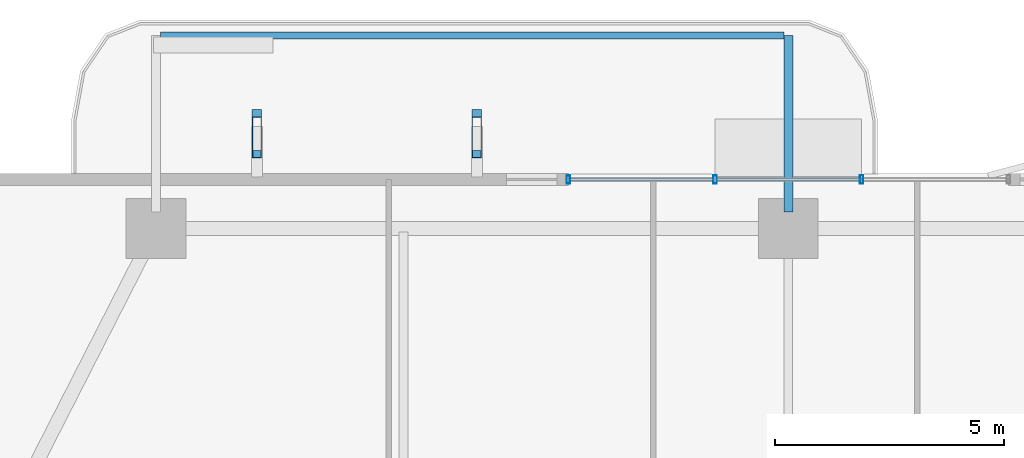
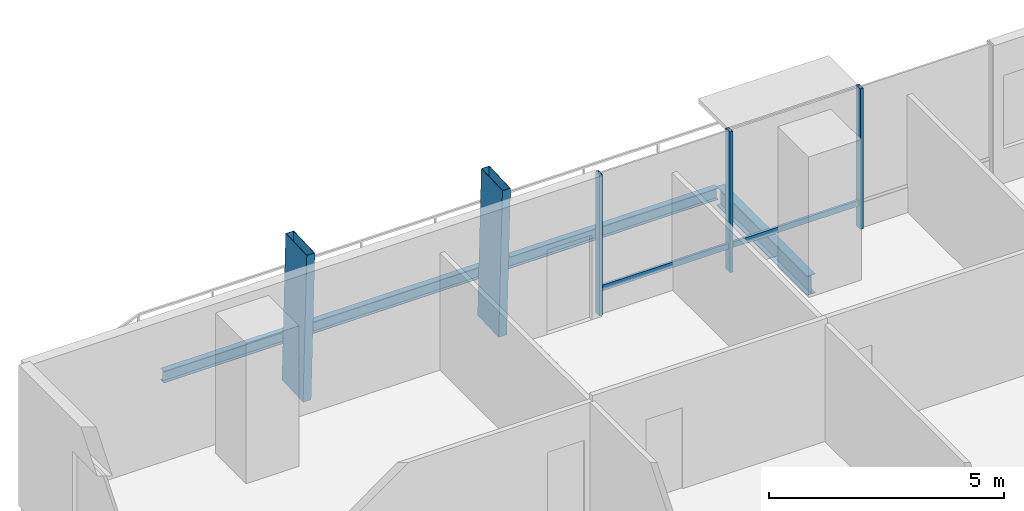
# One storey, part 11 of 24: 7 members, 2 beams, 1 element without a shape of its own.
"""IFC4 building model written with IfcOpenShell, lengths in metres."""

from ifc_helpers import new_model, si_unit, direction, frame, origin, origin_2d, place, context, subcontext, project, spatial, hollow_rectangle, i_section, extrude, material, layer, layer_set, material_profile, profile_set, type_object, element, aggregate, save


model = new_model("IFC4")

# Units and contexts
model_context = context("Model", 3, precision=1e-05, world=origin(), true_north=direction((0.0, 1.0)))
body_context = subcontext(model_context, "Body", "Model", "MODEL_VIEW")
ifc_project = project(units=[si_unit("LENGTHUNIT", "METRE"), si_unit("AREAUNIT", "SQUARE_METRE"), si_unit("VOLUMEUNIT", "CUBIC_METRE"), si_unit("PLANEANGLEUNIT", "RADIAN"), si_unit("MASSUNIT", "GRAM", prefix="KILO")], contexts=[model_context])

# Site, building, storey
site_placement = place(None, origin())
site = spatial("IfcSite", under=ifc_project, at=site_placement, CompositionType="ELEMENT")
building_placement = place(site_placement, origin())
building = spatial("IfcBuilding", under=site, at=building_placement, Name="Belovzor Exchange Tower", CompositionType="ELEMENT")
storey_placement = place(building_placement, frame((0.0, 0.0, 117.300048828125)))
storey = spatial("IfcBuildingStorey", under=building, at=storey_placement, Name="L28", CompositionType="ELEMENT", Elevation=117.300048828125)

# Beams
ifc_material_1 = material(Name="Steel S355", Category="steel")
ifc_material_profile_1 = material_profile(ifc_material_1, i_section(OverallWidth=0.199951171875, OverallDepth=0.5, WebThickness=0.01025390625, FlangeThickness=0.01611328125, at=origin_2d()))
ifc_profile_set_1 = profile_set([ifc_material_profile_1], Name="Steel S355")
beam_type_1 = type_object("IfcBeamType", Name="Planted Balcony Cantilever Beam IPE 500", PredefinedType="BEAM", material=ifc_profile_set_1)
beam_1_placement = place(storey_placement, frame((28.800048828125, 54.05810546875, -0.5), z_axis=(0.0, 1.0, 0.0), x_axis=(-1.0, 0.0, 0.0)))
element("IfcBeam", 1, at=beam_1_placement, inside=storey, type_object=beam_type_1, Name="BC-500 Planted Balcony Cantilever Beam IPE 500", PredefinedType="BEAM", context=body_context, shape_type="SweptSolid", body=[
    extrude(i_section(OverallWidth=0.199951171875, OverallDepth=0.5, WebThickness=0.01025390625, FlangeThickness=0.01611328125, at=origin_2d()), origin(), (0.0, 0.0, 1.0), 3.849853515625),
])
ifc_material_2 = material(Name="Steel S355", Category="steel")
ifc_material_profile_2 = material_profile(ifc_material_2, i_section(OverallWidth=0.14990234375, OverallDepth=0.300048828125, WebThickness=0.007080078125, FlangeThickness=0.0107421875, at=origin_2d()))
ifc_profile_set_2 = profile_set([ifc_material_profile_2], Name="Steel S355")
beam_type_2 = type_object("IfcBeamType", Name="Planted Balcony Fascia Edge Beam IPE 300", PredefinedType="BEAM", material=ifc_profile_set_2)
beam_2_placement = place(storey_placement, frame((28.699951171875, 57.907958984375, -0.400146484375), z_axis=(-1.0, 0.0, 0.0), x_axis=(0.0, -1.0, 0.0)))
element("IfcBeam", 2, at=beam_2_placement, inside=storey, type_object=beam_type_2, Name="BC-300 Planted Balcony Fascia Edge Beam IPE 300", PredefinedType="BEAM", context=body_context, shape_type="SweptSolid", body=[
    extrude(i_section(OverallWidth=0.14990234375, OverallDepth=0.300048828125, WebThickness=0.007080078125, FlangeThickness=0.0107421875, at=origin_2d()), origin(), (0.0, 0.0, 1.0), 13.599853515625),
])

# Members
ifc_material_3 = material(Name="Extruded Architectural Terracotta on Steel S355 Carrier", Category="masonry")
ifc_material_profile_3 = material_profile(ifc_material_3, hollow_rectangle(XDim=0.199951171875, YDim=0.89990234375, WallThickness=0.011962890625, at=origin_2d()))
ifc_profile_set_3 = profile_set([ifc_material_profile_3], Name="Extruded Architectural Terracotta on Steel S355 Carrier")
member_type_1 = type_object("IfcMemberType", Name="Sweeping Terracotta Baguette Fin Assembly 1250", PredefinedType="USERDEFINED", material=ifc_profile_set_3)
for number, where, z_axis, x_axis, name in (
    (3, (17.199951171875, 55.842041015625, -0.25), (0.0, -0.040719923662, 0.999170599956), (1.0, 0.0, 0.0), "FIN-TC125 Terracotta Facade Fin L28 N1"),
    (4, (22.0, 55.842041015625, -0.25), (0.0, -0.040719923662, 0.999170599956), (1.0, 0.0, 0.0), "FIN-TC125 Terracotta Facade Fin L28 N2"),
):
    element("IfcMember", number, at=place(storey_placement, frame(where, z_axis=z_axis, x_axis=x_axis)), inside=storey, type_object=member_type_1, Name=name, ObjectType="FIN", PredefinedType="USERDEFINED", context=body_context, shape_type="SweptSolid", body=[
        extrude(hollow_rectangle(XDim=0.199951171875, YDim=0.89990234375, WallThickness=0.011962890625, at=origin_2d()), origin(), (0.0, 0.0, 1.0), 3.903076171875),
    ])

# Curtain wall, members
ifc_material_4 = material(Name="Anodised Aluminium Framing", Category="aluminium")
ifc_layer = layer(ifc_material_4, 0.179931640625)
ifc_layer_set = layer_set([ifc_layer], Name="Anodised Aluminium Framing")
curtain_wall_type = type_object("IfcCurtainWallType", Name="Recessed Loggia Low-Iron Triple-Glazed Curtain Wall", PredefinedType="NOTDEFINED", material=ifc_layer_set)
curtain_wall_placement = place(storey_placement, origin())
curtain_wall = element("IfcCurtainWall", 5, at=curtain_wall_placement, inside=storey, type_object=curtain_wall_type, Name="CW3 Recessed Loggia Low-Iron Triple-Glazed Curtain Wall L28", PredefinedType="NOTDEFINED")
ifc_material_5 = material(Name="Steel S355", Category="steel")
ifc_material_profile_4 = material_profile(ifc_material_5, hollow_rectangle(XDim=0.074951171875, YDim=0.179931640625, WallThickness=0.0048828125, at=origin_2d()))
ifc_profile_set_4 = profile_set([ifc_material_profile_4], Name="Steel S355")
member_type_2 = type_object("IfcMemberType", Name="Thermally Broken Curtain Wall Mullion 180x75", PredefinedType="MULLION", material=ifc_profile_set_4)
member_1_placement = place(storey_placement, frame((24.0, 54.77001953125, 0.0), z_axis=(0.0, 0.0, 1.0), x_axis=(1.0, 0.0, 0.0)))
member_1 = element("IfcMember", 6, at=member_1_placement, type_object=member_type_2, Name="CW-M180 Curtain Wall Mullion 1", PredefinedType="MULLION", context=body_context, shape_type="SweptSolid", body=[
    extrude(hollow_rectangle(XDim=0.074951171875, YDim=0.179931640625, WallThickness=0.0048828125, at=origin_2d()), origin(), (0.0, 0.0, 1.0), 3.64990234375),
])
member_2_placement = place(storey_placement, frame((27.199951171875, 54.77001953125, 0.0), z_axis=(0.0, 0.0, 1.0), x_axis=(1.0, 0.0, 0.0)))
member_2 = element("IfcMember", 7, at=member_2_placement, type_object=member_type_2, Name="CW-M180 Curtain Wall Mullion 2", PredefinedType="MULLION", context=body_context, shape_type="SweptSolid", body=[
    extrude(hollow_rectangle(XDim=0.074951171875, YDim=0.179931640625, WallThickness=0.0048828125, at=origin_2d()), origin(), (0.0, 0.0, 1.0), 3.64990234375),
])
member_3_placement = place(storey_placement, frame((30.39990234375, 54.77001953125, 0.0), z_axis=(0.0, 0.0, 1.0), x_axis=(1.0, 0.0, 0.0)))
member_3 = element("IfcMember", 8, at=member_3_placement, type_object=member_type_2, Name="CW-M180 Curtain Wall Mullion 3", PredefinedType="MULLION", context=body_context, shape_type="SweptSolid", body=[
    extrude(hollow_rectangle(XDim=0.074951171875, YDim=0.179931640625, WallThickness=0.0048828125, at=origin_2d()), origin(), (0.0, 0.0, 1.0), 3.64990234375),
])
ifc_material_6 = material(Name="Steel S355", Category="steel")
ifc_material_profile_5 = material_profile(ifc_material_6, hollow_rectangle(XDim=0.06005859375, YDim=0.14990234375, WallThickness=0.00390625, at=origin_2d()))
ifc_profile_set_5 = profile_set([ifc_material_profile_5], Name="Steel S355")
member_type_3 = type_object("IfcMemberType", Name="Thermally Broken Curtain Wall Transom 150x60", PredefinedType="USERDEFINED", material=ifc_profile_set_5)
member_4_placement = place(storey_placement, frame((24.008056640625, 54.77001953125, 0.64990234375), z_axis=(1.0, 0.0, 0.0), x_axis=(0.0, 1.0, 0.0)))
member_4 = element("IfcMember", 9, at=member_4_placement, type_object=member_type_3, Name="CW-T150 Curtain Wall Transom 1", ObjectType="TRANSOM", PredefinedType="USERDEFINED", context=body_context, shape_type="SweptSolid", body=[
    extrude(hollow_rectangle(XDim=0.06005859375, YDim=0.14990234375, WallThickness=0.00390625, at=origin_2d()), origin(), (0.0, 0.0, 1.0), 3.183837890625),
])
member_5_placement = place(storey_placement, frame((27.2080078125, 54.77001953125, 0.64990234375), z_axis=(1.0, 0.0, 0.0), x_axis=(0.0, 1.0, 0.0)))
member_5 = element("IfcMember", 10, at=member_5_placement, type_object=member_type_3, Name="CW-T150 Curtain Wall Transom 2", ObjectType="TRANSOM", PredefinedType="USERDEFINED", context=body_context, shape_type="SweptSolid", body=[
    extrude(hollow_rectangle(XDim=0.06005859375, YDim=0.14990234375, WallThickness=0.00390625, at=origin_2d()), origin(), (0.0, 0.0, 1.0), 3.18408203125),
])
aggregate(curtain_wall, [member_1, member_2, member_3, member_4, member_5])

save(model, "model.ifc")
